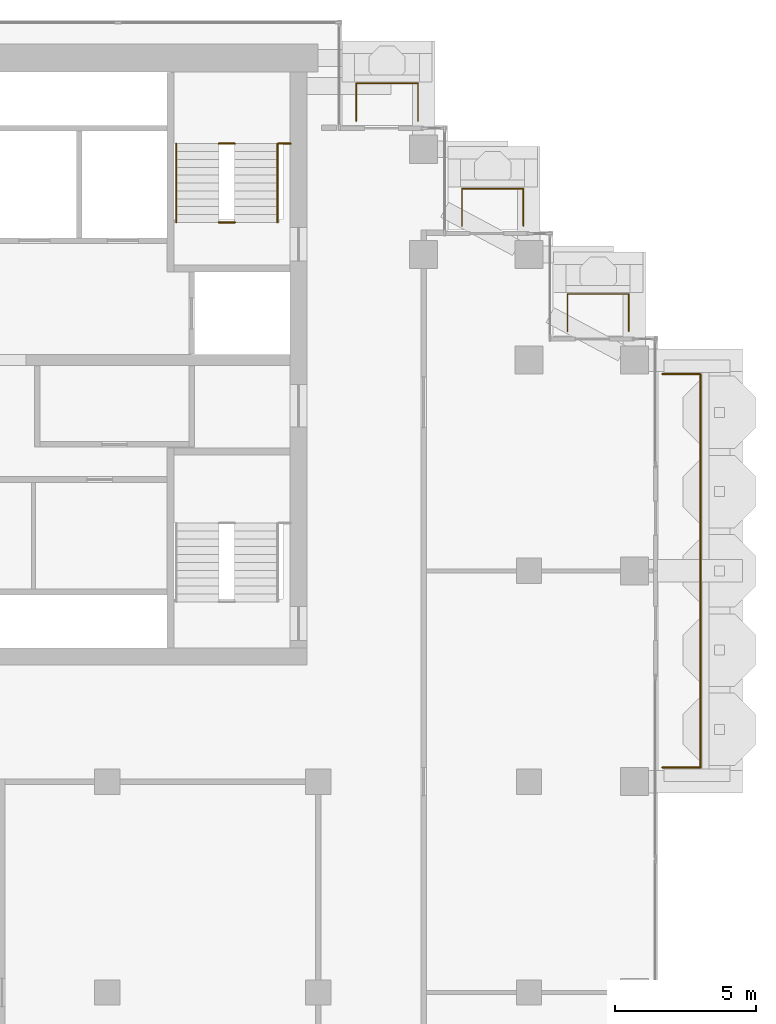
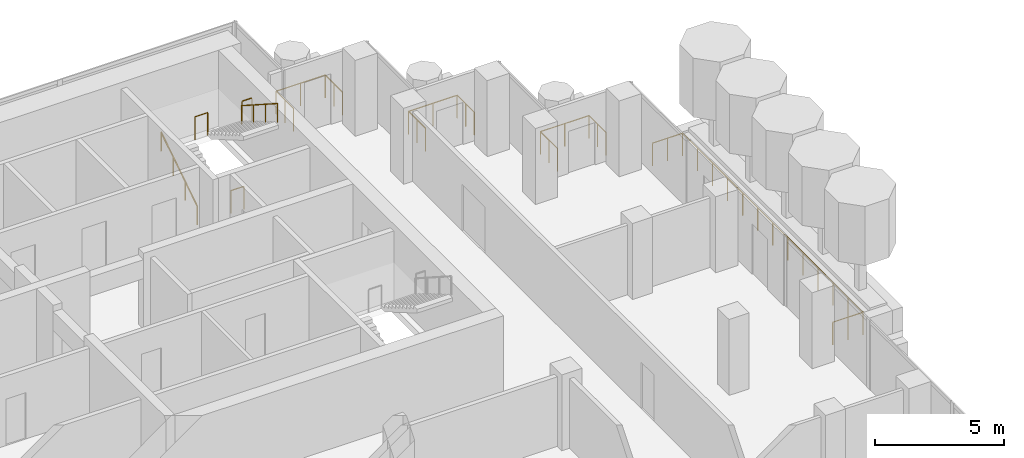
# One storey, part 17 of 18: 9 railings.
"""IFC4 building model written with IfcOpenShell, lengths in metres."""

from ifc_helpers import new_model, si_unit, direction, frame, origin, origin_2d, place, context, subcontext, project, spatial, circle, extrude, material, type_object, element, save


model = new_model("IFC4")

# Units and contexts
model_context = context("Model", 3, precision=1e-05, world=origin(), true_north=direction((0.0, 1.0)))
body_context = subcontext(model_context, "Body", "Model", "MODEL_VIEW")
ifc_project = project(units=[si_unit("LENGTHUNIT", "METRE"), si_unit("AREAUNIT", "SQUARE_METRE"), si_unit("VOLUMEUNIT", "CUBIC_METRE"), si_unit("PLANEANGLEUNIT", "RADIAN"), si_unit("MASSUNIT", "GRAM", prefix="KILO")], contexts=[model_context])

# Site, building, storey
site_placement = place(None, origin())
site = spatial("IfcSite", under=ifc_project, at=site_placement, CompositionType="ELEMENT")
building_placement = place(site_placement, origin())
building = spatial("IfcBuilding", under=site, at=building_placement, Name="Pilkhan Gate Tower", CompositionType="ELEMENT")
storey_placement = place(building_placement, frame((0.0, 0.0, 210.300048828125)))
storey = spatial("IfcBuildingStorey", under=building, at=storey_placement, Name="L54", CompositionType="ELEMENT", Elevation=210.300048828125)

# Railings
ifc_material_1 = material(Name="Pale anodised aluminium posts, laminated glass infill", Category="aluminium")
railing_type_1 = type_object("IfcRailingType", Name="Balcony guard G1", PredefinedType="BALUSTRADE", material=ifc_material_1)
railing_1_placement = place(storey_placement, frame((102.25, 68.0, 0.0)))
element("IfcRailing", 1, at=railing_1_placement, inside=storey, type_object=railing_type_1, Name="Balcony guard L54 E", PredefinedType="BALUSTRADE", context=body_context, shape_type="SweptSolid", body=[
    extrude(circle(Radius=0.02392578125, at=origin_2d()), frame((0.0, 0.0, 1.076171875), z_axis=(1.0, 0.0, 0.0), x_axis=(0.0, 1.0, 0.0)), (0.0, 0.0, 1.0), 1.35009765625),
    extrude(circle(Radius=0.02392578125, at=origin_2d()), frame((1.35009765625, 0.0, 1.076171875), z_axis=(0.0, 1.0, 0.0), x_axis=(-1.0, 0.0, 0.0)), (0.0, 0.0, 1.0), 14.0),
    extrude(circle(Radius=0.02392578125, at=origin_2d()), frame((1.35009765625, 14.0, 1.076171875), z_axis=(-1.0, 0.0, 0.0), x_axis=(0.0, -1.0, 0.0)), (0.0, 0.0, 1.0), 1.35009765625),
    extrude(circle(Radius=0.02099609375, at=origin_2d()), origin(), (0.0, 0.0, 1.0), 1.052001953125),
    extrude(circle(Radius=0.02099609375, at=origin_2d()), frame((0.675048828125, 0.0, 0.0)), (0.0, 0.0, 1.0), 1.052001953125),
    extrude(circle(Radius=0.02099609375, at=origin_2d()), frame((1.35009765625, 0.0, 0.0)), (0.0, 0.0, 1.0), 1.052001953125),
    extrude(circle(Radius=0.02099609375, at=origin_2d()), frame((1.35009765625, 1.166748046875, 0.0)), (0.0, 0.0, 1.0), 1.052001953125),
    extrude(circle(Radius=0.02099609375, at=origin_2d()), frame((1.35009765625, 2.333251953125, 0.0)), (0.0, 0.0, 1.0), 1.052001953125),
    extrude(circle(Radius=0.02099609375, at=origin_2d()), frame((1.35009765625, 3.5, 0.0)), (0.0, 0.0, 1.0), 1.052001953125),
    extrude(circle(Radius=0.02099609375, at=origin_2d()), frame((1.35009765625, 4.666748046875, 0.0)), (0.0, 0.0, 1.0), 1.052001953125),
    extrude(circle(Radius=0.02099609375, at=origin_2d()), frame((1.35009765625, 5.833251953125, 0.0)), (0.0, 0.0, 1.0), 1.052001953125),
    extrude(circle(Radius=0.02099609375, at=origin_2d()), frame((1.35009765625, 7.0, 0.0)), (0.0, 0.0, 1.0), 1.052001953125),
    extrude(circle(Radius=0.02099609375, at=origin_2d()), frame((1.35009765625, 8.166748046875, 0.0)), (0.0, 0.0, 1.0), 1.052001953125),
    extrude(circle(Radius=0.02099609375, at=origin_2d()), frame((1.35009765625, 9.333251953125, 0.0)), (0.0, 0.0, 1.0), 1.052001953125),
    extrude(circle(Radius=0.02099609375, at=origin_2d()), frame((1.35009765625, 10.5, 0.0)), (0.0, 0.0, 1.0), 1.052001953125),
    extrude(circle(Radius=0.02099609375, at=origin_2d()), frame((1.35009765625, 11.666748046875, 0.0)), (0.0, 0.0, 1.0), 1.052001953125),
    extrude(circle(Radius=0.02099609375, at=origin_2d()), frame((1.35009765625, 12.833251953125, 0.0)), (0.0, 0.0, 1.0), 1.052001953125),
    extrude(circle(Radius=0.02099609375, at=origin_2d()), frame((1.35009765625, 14.0, 0.0)), (0.0, 0.0, 1.0), 1.052001953125),
    extrude(circle(Radius=0.02099609375, at=origin_2d()), frame((0.675048828125, 14.0, 0.0)), (0.0, 0.0, 1.0), 1.052001953125),
    extrude(circle(Radius=0.02099609375, at=origin_2d()), frame((0.0, 14.0, 0.0)), (0.0, 0.0, 1.0), 1.052001953125),
])
railing_2_placement = place(storey_placement, frame((91.35009765625, 91.0, 0.0)))
element("IfcRailing", 2, at=railing_2_placement, inside=storey, type_object=railing_type_1, Name="Balcony guard L54 N", PredefinedType="BALUSTRADE", context=body_context, shape_type="SweptSolid", body=[
    extrude(circle(Radius=0.02392578125, at=origin_2d()), frame((0.0, 0.0, 1.076171875), z_axis=(0.0, 1.0, 0.0), x_axis=(-1.0, 0.0, 0.0)), (0.0, 0.0, 1.0), 1.35009765625),
    extrude(circle(Radius=0.02392578125, at=origin_2d()), frame((0.0, 1.35009765625, 1.076171875), z_axis=(1.0, 0.0, 0.0), x_axis=(0.0, 1.0, 0.0)), (0.0, 0.0, 1.0), 2.199951171875),
    extrude(circle(Radius=0.02392578125, at=origin_2d()), frame((2.199951171875, 1.35009765625, 1.076171875), z_axis=(0.0, -1.0, 0.0), x_axis=(1.0, 0.0, 0.0)), (0.0, 0.0, 1.0), 1.35009765625),
    extrude(circle(Radius=0.02099609375, at=origin_2d()), origin(), (0.0, 0.0, 1.0), 1.052001953125),
    extrude(circle(Radius=0.02099609375, at=origin_2d()), frame((0.0, 0.675048828125, 0.0)), (0.0, 0.0, 1.0), 1.052001953125),
    extrude(circle(Radius=0.02099609375, at=origin_2d()), frame((0.0, 1.35009765625, 0.0)), (0.0, 0.0, 1.0), 1.052001953125),
    extrude(circle(Radius=0.02099609375, at=origin_2d()), frame((1.10009765625, 1.35009765625, 0.0)), (0.0, 0.0, 1.0), 1.052001953125),
    extrude(circle(Radius=0.02099609375, at=origin_2d()), frame((2.199951171875, 1.35009765625, 0.0)), (0.0, 0.0, 1.0), 1.052001953125),
    extrude(circle(Radius=0.02099609375, at=origin_2d()), frame((2.199951171875, 0.675048828125, 0.0)), (0.0, 0.0, 1.0), 1.052001953125),
    extrude(circle(Radius=0.02099609375, at=origin_2d()), frame((2.199951171875, 0.0, 0.0)), (0.0, 0.0, 1.0), 1.052001953125),
])
for number, where, name in (
    (3, (95.1201171875, 87.27001953125, 0.0), "Balcony guard L54 N"),
    (4, (98.8701171875, 83.52001953125, 0.0), "Balcony guard L54 N"),
):
    element("IfcRailing", number, at=place(storey_placement, frame(where)), inside=storey, type_object=railing_type_1, Name=name, PredefinedType="BALUSTRADE", context=body_context, shape_type="SweptSolid", body=[
        extrude(circle(Radius=0.02392578125, at=origin_2d()), frame((0.0, 0.0, 1.076171875), z_axis=(0.0, 1.0, 0.0), x_axis=(-1.0, 0.0, 0.0)), (0.0, 0.0, 1.0), 1.330078125),
        extrude(circle(Radius=0.02392578125, at=origin_2d()), frame((0.0, 1.330078125, 1.076171875), z_axis=(1.0, 0.0, 0.0), x_axis=(0.0, 1.0, 0.0)), (0.0, 0.0, 1.0), 2.179931640625),
        extrude(circle(Radius=0.02392578125, at=origin_2d()), frame((2.179931640625, 1.330078125, 1.076171875), z_axis=(0.0, -1.0, 0.0), x_axis=(1.0, 0.0, 0.0)), (0.0, 0.0, 1.0), 1.330078125),
        extrude(circle(Radius=0.02099609375, at=origin_2d()), origin(), (0.0, 0.0, 1.0), 1.052001953125),
        extrude(circle(Radius=0.02099609375, at=origin_2d()), frame((0.0, 0.6650390625, 0.0)), (0.0, 0.0, 1.0), 1.052001953125),
        extrude(circle(Radius=0.02099609375, at=origin_2d()), frame((0.0, 1.330078125, 0.0)), (0.0, 0.0, 1.0), 1.052001953125),
        extrude(circle(Radius=0.02099609375, at=origin_2d()), frame((1.08984375, 1.330078125, 0.0)), (0.0, 0.0, 1.0), 1.052001953125),
        extrude(circle(Radius=0.02099609375, at=origin_2d()), frame((2.179931640625, 1.330078125, 0.0)), (0.0, 0.0, 1.0), 1.052001953125),
        extrude(circle(Radius=0.02099609375, at=origin_2d()), frame((2.179931640625, 0.6650390625, 0.0)), (0.0, 0.0, 1.0), 1.052001953125),
        extrude(circle(Radius=0.02099609375, at=origin_2d()), frame((2.179931640625, 0.0, 0.0)), (0.0, 0.0, 1.0), 1.052001953125),
    ])
ifc_material_2 = material(Name="Black powder-coated steel tube", Category="steel")
railing_type_2 = type_object("IfcRailingType", Name="Stair handrail HR1", PredefinedType="HANDRAIL", material=ifc_material_2)
railing_3_placement = place(storey_placement, frame((84.949951171875, 87.39990234375, 0.0)))
element("IfcRailing", 5, at=railing_3_placement, inside=storey, type_object=railing_type_2, Name="Stair ST4 handrail L54", PredefinedType="HANDRAIL", context=body_context, shape_type="SweptSolid", body=[
    extrude(circle(Radius=0.02392578125, at=origin_2d()), frame((0.0, 0.0, 0.8759765625), z_axis=(0.0, 0.841176092368, 0.540761298198), x_axis=(-1.0, 0.0, 0.0)), (0.0, 0.0, 1.0), 3.32861328125),
    extrude(circle(Radius=0.02099609375, at=origin_2d()), origin(), (0.0, 0.0, 1.0), 0.851806640625),
    extrude(circle(Radius=0.02099609375, at=origin_2d()), frame((0.0, 0.933349609375, 0.60009765625)), (0.0, 0.0, 1.0), 0.851806640625),
    extrude(circle(Radius=0.02099609375, at=origin_2d()), frame((0.0, 1.86669921875, 1.199951171875)), (0.0, 0.0, 1.0), 0.851806640625),
    extrude(circle(Radius=0.02099609375, at=origin_2d()), frame((0.0, 2.800048828125, 1.800048828125)), (0.0, 0.0, 1.0), 0.851806640625),
])
railing_4_placement = place(storey_placement, frame((88.550048828125, 90.199951171875, 1.800048828125)))
element("IfcRailing", 6, at=railing_4_placement, inside=storey, type_object=railing_type_2, Name="Stair ST4 handrail L54", PredefinedType="HANDRAIL", context=body_context, shape_type="SweptSolid", body=[
    extrude(circle(Radius=0.02392578125, at=origin_2d()), frame((0.0, 0.0, 0.8759765625), z_axis=(0.0, -0.841209454229, 0.540709398952), x_axis=(1.0, 0.0, 0.0)), (0.0, 0.0, 1.0), 3.32861328125),
    extrude(circle(Radius=0.02099609375, at=origin_2d()), origin(), (0.0, 0.0, 1.0), 0.851806640625),
    extrude(circle(Radius=0.02099609375, at=origin_2d()), frame((0.0, -0.933349609375, 0.599853515625)), (0.0, 0.0, 1.0), 0.851806640625),
    extrude(circle(Radius=0.02099609375, at=origin_2d()), frame((0.0, -1.86669921875, 1.199951171875)), (0.0, 0.0, 1.0), 0.851806640625),
    extrude(circle(Radius=0.02099609375, at=origin_2d()), frame((0.0, -2.800048828125, 1.7998046875)), (0.0, 0.0, 1.0), 0.851806640625),
])
ifc_material_3 = material(Name="Black powder-coated steel balusters", Category="steel")
railing_type_3 = type_object("IfcRailingType", Name="Stair well guard G3", PredefinedType="GUARDRAIL", material=ifc_material_3)
railing_5_placement = place(storey_placement, frame((88.580078125, 90.199951171875, 1.800048828125)))
element("IfcRailing", 7, at=railing_5_placement, inside=storey, type_object=railing_type_3, Name="Stair ST4 well guard L54", PredefinedType="GUARDRAIL", context=body_context, shape_type="SweptSolid", body=[
    extrude(circle(Radius=0.02392578125, at=origin_2d()), frame((0.0, 0.0, 1.076171875), z_axis=(1.0, 0.0, 0.0), x_axis=(0.0, 1.0, 0.0)), (0.0, 0.0, 1.0), 0.43994140625),
    extrude(circle(Radius=0.02099609375, at=origin_2d()), origin(), (0.0, 0.0, 1.0), 1.052001953125),
    extrude(circle(Radius=0.02099609375, at=origin_2d()), frame((0.43994140625, 0.0, 0.0)), (0.0, 0.0, 1.0), 1.052001953125),
])
for number, where, name in (
    (8, (86.4599609375, 87.39990234375, 0.0), "Stair ST4 well guard L54"),
    (9, (86.4599609375, 90.199951171875, 1.800048828125), "Stair ST4 well guard L54"),
):
    element("IfcRailing", number, at=place(storey_placement, frame(where)), inside=storey, type_object=railing_type_3, Name=name, PredefinedType="GUARDRAIL", context=body_context, shape_type="SweptSolid", body=[
        extrude(circle(Radius=0.02392578125, at=origin_2d()), frame((0.0, 0.0, 1.076171875), z_axis=(1.0, 0.0, 0.0), x_axis=(0.0, 1.0, 0.0)), (0.0, 0.0, 1.0), 0.580078125),
        extrude(circle(Radius=0.02099609375, at=origin_2d()), origin(), (0.0, 0.0, 1.0), 1.052001953125),
        extrude(circle(Radius=0.02099609375, at=origin_2d()), frame((0.580078125, 0.0, 0.0)), (0.0, 0.0, 1.0), 1.052001953125),
    ])

save(model, "model.ifc")
